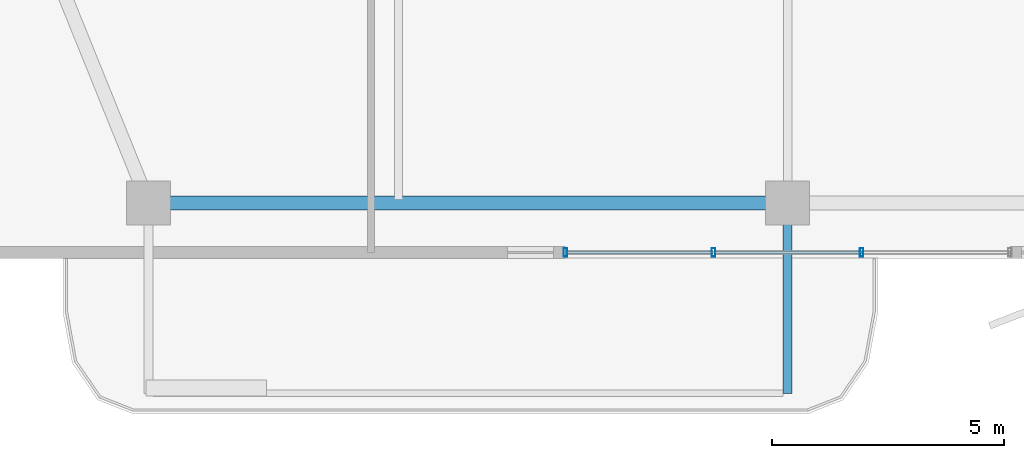
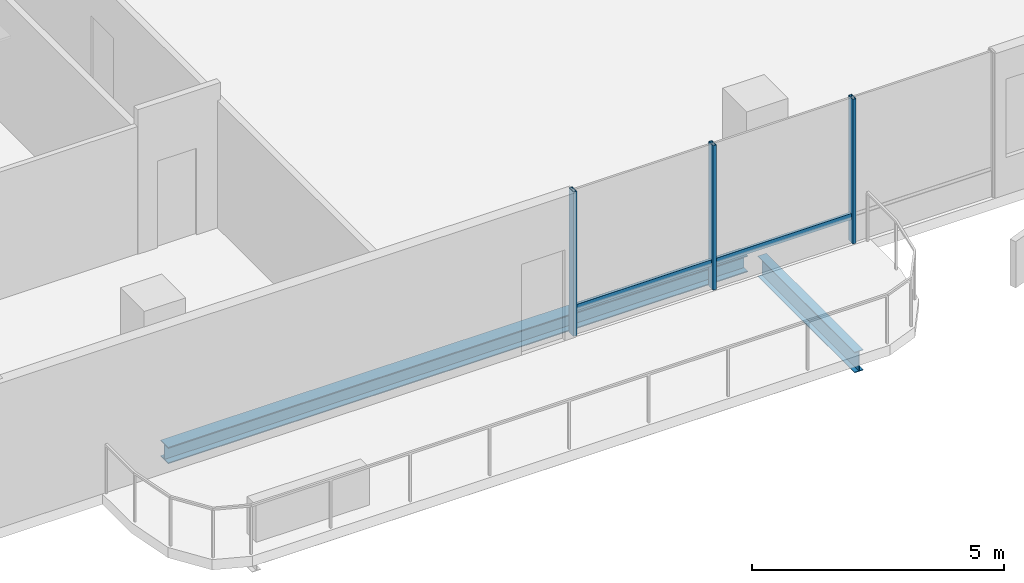
# One storey, part 2 of 23: 5 members, 2 beams, 1 element without a shape of its own.
"""IFC4 building model written with IfcOpenShell, lengths in metres."""

from ifc_helpers import new_model, si_unit, direction, frame, origin, origin_2d, place, context, subcontext, project, spatial, hollow_rectangle, i_section, extrude, material, layer, layer_set, material_profile, profile_set, type_object, element, aggregate, save


model = new_model("IFC4")

# Units and contexts
model_context = context("Model", 3, precision=1e-05, world=origin(), true_north=direction((0.0, 1.0)))
body_context = subcontext(model_context, "Body", "Model", "MODEL_VIEW")
ifc_project = project(units=[si_unit("LENGTHUNIT", "METRE"), si_unit("AREAUNIT", "SQUARE_METRE"), si_unit("VOLUMEUNIT", "CUBIC_METRE"), si_unit("PLANEANGLEUNIT", "RADIAN"), si_unit("MASSUNIT", "GRAM", prefix="KILO")], contexts=[model_context])

# Site, building, storey
site_placement = place(None, origin())
site = spatial("IfcSite", under=ifc_project, at=site_placement, CompositionType="ELEMENT")
building_placement = place(site_placement, origin())
building = spatial("IfcBuilding", under=site, at=building_placement, Name="Belovzor Exchange Tower", CompositionType="ELEMENT")
storey_placement = place(building_placement, frame((0.0, 0.0, 276.60009765625)))
storey = spatial("IfcBuildingStorey", under=building, at=storey_placement, Name="L69", CompositionType="ELEMENT", Elevation=276.60009765625)

# Beam
ifc_material_1 = material(Name="Steel S355", Category="steel")
ifc_material_profile_1 = material_profile(ifc_material_1, i_section(OverallWidth=0.199951171875, OverallDepth=0.5, WebThickness=0.01025390625, FlangeThickness=0.01611328125, at=origin_2d()))
ifc_profile_set_1 = profile_set([ifc_material_profile_1], Name="Steel S355")
beam_type_1 = type_object("IfcBeamType", Name="Planted Balcony Cantilever Beam IPE 500", PredefinedType="BEAM", material=ifc_profile_set_1)
beam_1_placement = place(storey_placement, frame((28.800048828125, 4.839111328125, -0.5), z_axis=(0.0, -1.0, 0.0), x_axis=(1.0, 0.0, 0.0)))
element("IfcBeam", 1, at=beam_1_placement, inside=storey, type_object=beam_type_1, Name="BC-500 Planted Balcony Cantilever Beam IPE 500", PredefinedType="BEAM", context=body_context, shape_type="SweptSolid", body=[
    extrude(i_section(OverallWidth=0.199951171875, OverallDepth=0.5, WebThickness=0.01025390625, FlangeThickness=0.01611328125, at=origin_2d()), origin(), (0.0, 0.0, 1.0), 3.85009765625),
])

# Curtain wall, members
ifc_material_2 = material(Name="Anodised Aluminium Framing", Category="aluminium")
ifc_layer = layer(ifc_material_2, 0.179931640625)
ifc_layer_set = layer_set([ifc_layer], Name="Anodised Aluminium Framing")
curtain_wall_type = type_object("IfcCurtainWallType", Name="Recessed Loggia Low-Iron Triple-Glazed Curtain Wall", PredefinedType="NOTDEFINED", material=ifc_layer_set)
curtain_wall_placement = place(storey_placement, origin())
curtain_wall = element("IfcCurtainWall", 2, at=curtain_wall_placement, inside=storey, type_object=curtain_wall_type, Name="CW3 Recessed Loggia Low-Iron Triple-Glazed Curtain Wall L69", PredefinedType="NOTDEFINED")
ifc_material_3 = material(Name="Steel S355", Category="steel")
ifc_material_profile_2 = material_profile(ifc_material_3, hollow_rectangle(XDim=0.074951171875, YDim=0.179931640625, WallThickness=0.0048828125, at=origin_2d()))
ifc_profile_set_2 = profile_set([ifc_material_profile_2], Name="Steel S355")
member_type_1 = type_object("IfcMemberType", Name="Thermally Broken Curtain Wall Mullion 180x75", PredefinedType="MULLION", material=ifc_profile_set_2)
member_1_placement = place(storey_placement, frame((30.39990234375, 4.030029296875, 0.0), z_axis=(0.0, 0.0, 1.0), x_axis=(-1.0, 0.0, 0.0)))
member_1 = element("IfcMember", 3, at=member_1_placement, type_object=member_type_1, Name="CW-M180 Curtain Wall Mullion 2", PredefinedType="MULLION", context=body_context, shape_type="SweptSolid", body=[
    extrude(hollow_rectangle(XDim=0.074951171875, YDim=0.179931640625, WallThickness=0.0048828125, at=origin_2d()), origin(), (0.0, 0.0, 1.0), 3.5),
])
member_2_placement = place(storey_placement, frame((27.199951171875, 4.030029296875, 0.0), z_axis=(0.0, 0.0, 1.0), x_axis=(-1.0, 0.0, 0.0)))
member_2 = element("IfcMember", 4, at=member_2_placement, type_object=member_type_1, Name="CW-M180 Curtain Wall Mullion 3", PredefinedType="MULLION", context=body_context, shape_type="SweptSolid", body=[
    extrude(hollow_rectangle(XDim=0.074951171875, YDim=0.179931640625, WallThickness=0.0048828125, at=origin_2d()), origin(), (0.0, 0.0, 1.0), 3.5),
])
member_3_placement = place(storey_placement, frame((24.0, 4.030029296875, 0.0), z_axis=(0.0, 0.0, 1.0), x_axis=(-1.0, 0.0, 0.0)))
member_3 = element("IfcMember", 5, at=member_3_placement, type_object=member_type_1, Name="CW-M180 Curtain Wall Mullion 4", PredefinedType="MULLION", context=body_context, shape_type="SweptSolid", body=[
    extrude(hollow_rectangle(XDim=0.074951171875, YDim=0.179931640625, WallThickness=0.0048828125, at=origin_2d()), origin(), (0.0, 0.0, 1.0), 3.5),
])
ifc_material_4 = material(Name="Steel S355", Category="steel")
ifc_material_profile_3 = material_profile(ifc_material_4, hollow_rectangle(XDim=0.06005859375, YDim=0.14990234375, WallThickness=0.00390625, at=origin_2d()))
ifc_profile_set_3 = profile_set([ifc_material_profile_3], Name="Steel S355")
member_type_2 = type_object("IfcMemberType", Name="Thermally Broken Curtain Wall Transom 150x60", PredefinedType="USERDEFINED", material=ifc_profile_set_3)
member_4_placement = place(storey_placement, frame((30.39208984375, 4.030029296875, 0.6298828125), z_axis=(-1.0, 0.0, 0.0), x_axis=(0.0, -1.0, 0.0)))
member_4 = element("IfcMember", 6, at=member_4_placement, type_object=member_type_2, Name="CW-T150 Curtain Wall Transom 2", ObjectType="TRANSOM", PredefinedType="USERDEFINED", context=body_context, shape_type="SweptSolid", body=[
    extrude(hollow_rectangle(XDim=0.06005859375, YDim=0.14990234375, WallThickness=0.00390625, at=origin_2d()), origin(), (0.0, 0.0, 1.0), 3.18408203125),
])
member_5_placement = place(storey_placement, frame((27.19189453125, 4.030029296875, 0.6298828125), z_axis=(-1.0, 0.0, 0.0), x_axis=(0.0, -1.0, 0.0)))
member_5 = element("IfcMember", 7, at=member_5_placement, type_object=member_type_2, Name="CW-T150 Curtain Wall Transom 3", ObjectType="TRANSOM", PredefinedType="USERDEFINED", context=body_context, shape_type="SweptSolid", body=[
    extrude(hollow_rectangle(XDim=0.06005859375, YDim=0.14990234375, WallThickness=0.00390625, at=origin_2d()), origin(), (0.0, 0.0, 1.0), 3.183837890625),
])
aggregate(curtain_wall, [member_1, member_2, member_3, member_4, member_5])

# Beam
ifc_material_5 = material(Name="Steel S355", Category="steel")
ifc_material_profile_4 = material_profile(ifc_material_5, i_section(OverallWidth=0.300048828125, OverallDepth=0.39990234375, WebThickness=0.013427734375, FlangeThickness=0.02392578125, at=origin_2d()))
ifc_profile_set_4 = profile_set([ifc_material_profile_4], Name="Steel S355")
beam_type_2 = type_object("IfcBeamType", Name="Zone 5 Primary Girder HEB 400", PredefinedType="BEAM", material=ifc_profile_set_4)
beam_2_placement = place(storey_placement, frame((15.260986328125, 5.10009765625, -0.4501953125), z_axis=(1.0, 0.0, 0.0), x_axis=(0.0, 1.0, 0.0)))
element("IfcBeam", 8, at=beam_2_placement, inside=storey, type_object=beam_type_2, Name="FG-Z5 Zone 5 Primary Girder HEB 400", PredefinedType="BEAM", context=body_context, shape_type="SweptSolid", body=[
    extrude(i_section(OverallWidth=0.300048828125, OverallDepth=0.39990234375, WebThickness=0.013427734375, FlangeThickness=0.02392578125, at=origin_2d()), origin(), (0.0, 0.0, 1.0), 13.278076171875),
])

save(model, "model.ifc")
